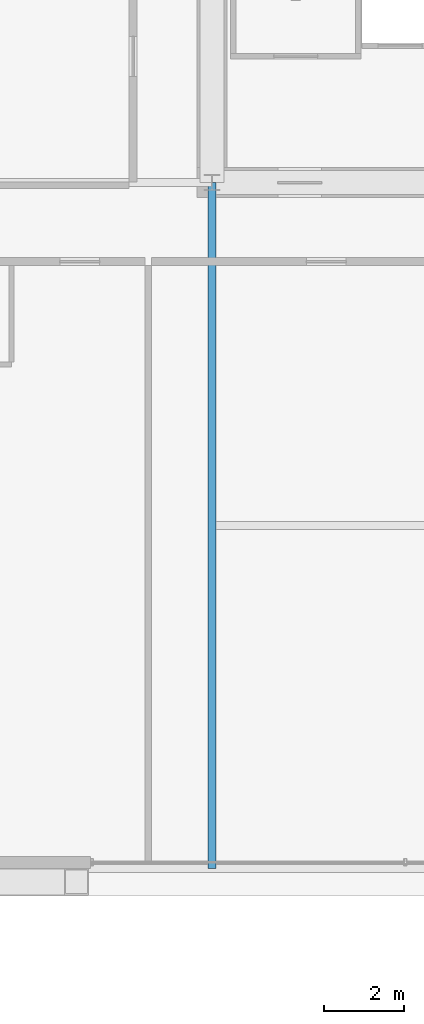
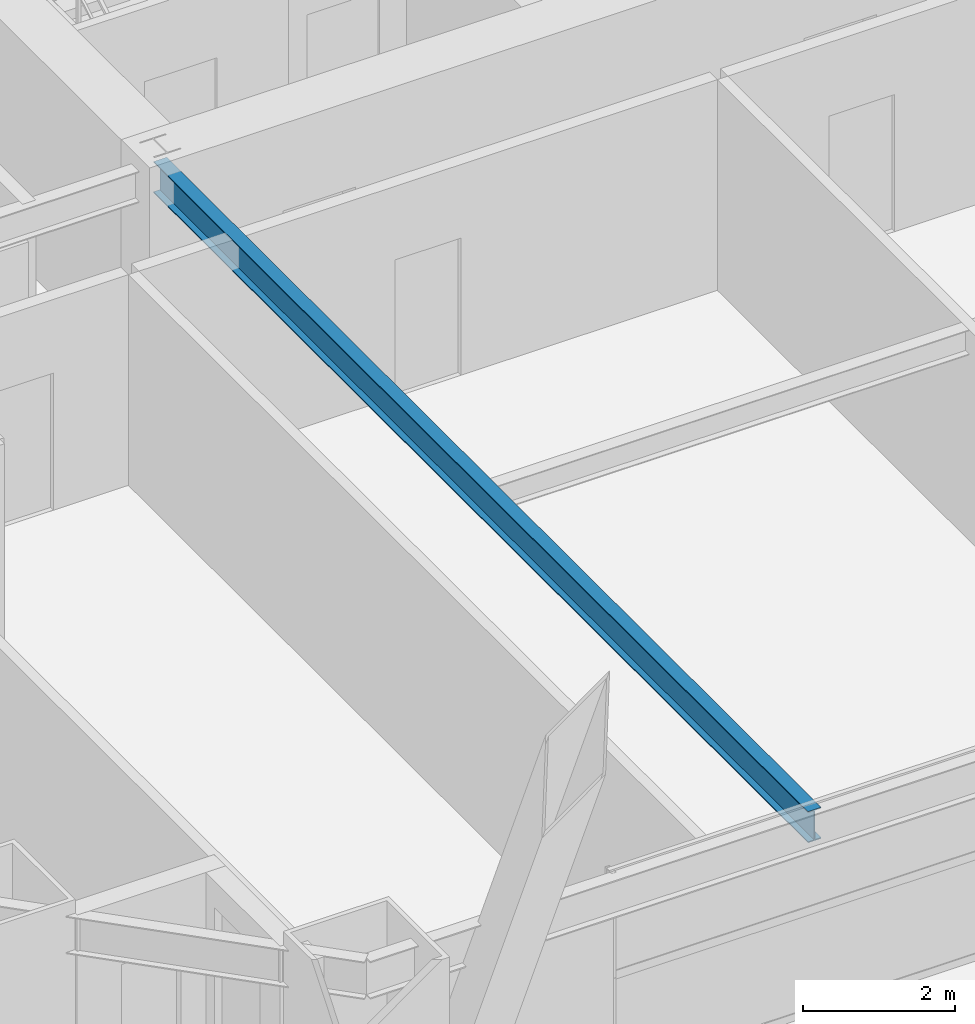
# One storey, part 9 of 42: 1 beam.
"""IFC4 building model written with IfcOpenShell, lengths in metres."""

from ifc_helpers import new_model, si_unit, direction, frame, origin, origin_2d, place, context, subcontext, project, spatial, i_section, extrude, source, transform, mapped, material, material_profile, profile_set, type_object, element, save


model = new_model("IFC4")

# Units and contexts
model_context = context("Model", 3, precision=1e-05, world=origin(), true_north=direction((0.0, 1.0)))
body_context = subcontext(model_context, "Body", "Model", "MODEL_VIEW")
ifc_project = project(units=[si_unit("LENGTHUNIT", "METRE"), si_unit("AREAUNIT", "SQUARE_METRE"), si_unit("VOLUMEUNIT", "CUBIC_METRE"), si_unit("PLANEANGLEUNIT", "RADIAN"), si_unit("MASSUNIT", "GRAM", prefix="KILO"), si_unit("THERMODYNAMICTEMPERATUREUNIT", "KELVIN"), si_unit("POWERUNIT", "WATT")], contexts=[model_context])

# Site, building, storey
site_placement = place(None, origin())
site = spatial("IfcSite", under=ifc_project, at=site_placement, CompositionType="ELEMENT")
building_placement = place(site_placement, origin())
building = spatial("IfcBuilding", under=site, at=building_placement, Name="Yuzanri Waterfront Tower", CompositionType="ELEMENT")
storey_placement = place(building_placement, frame((0.0, 0.0, 145.199951171875)))
storey = spatial("IfcBuildingStorey", under=building, at=storey_placement, Name="L38", CompositionType="ELEMENT", Elevation=145.199951171875)

# Beam
ifc_material = material(Name="Steel Q355B", Category="steel")
ifc_material_profile = material_profile(ifc_material, i_section(OverallWidth=0.199951171875, OverallDepth=0.5, WebThickness=0.010009765625, FlangeThickness=0.01611328125, at=origin_2d()), Name="HN 500x200x10x16")
ifc_profile_set = profile_set([ifc_material_profile], Name="Steel Q355B")
beam_type = type_object("IfcBeamType", Name="Secondary Floor Beam Q355B HN 500x200", PredefinedType="BEAM", material=ifc_profile_set)
shared_shape = source(origin(), body_context, "Body", "SweptSolid", [
    extrude(i_section(OverallWidth=0.199951171875, OverallDepth=0.5, WebThickness=0.010009765625, FlangeThickness=0.01611328125, at=origin_2d()), origin(), (0.0, 0.0, 1.0), 17.199951171875),
])
beam_placement = place(storey_placement, frame((23.800048828125, 19.39990234375, 3.130126953125), z_axis=(0.0, -1.0, 0.0), x_axis=(1.0, 0.0, 0.0)))
element("IfcBeam", 1, at=beam_placement, inside=storey, type_object=beam_type, Name="L38 South-West Core Line Beam", PredefinedType="BEAM", context=body_context, shape_type="MappedRepresentation", body=[
    mapped(shared_shape, transform((0.0, 0.0, 0.0), scale=1.0)),
])

save(model, "model.ifc")
